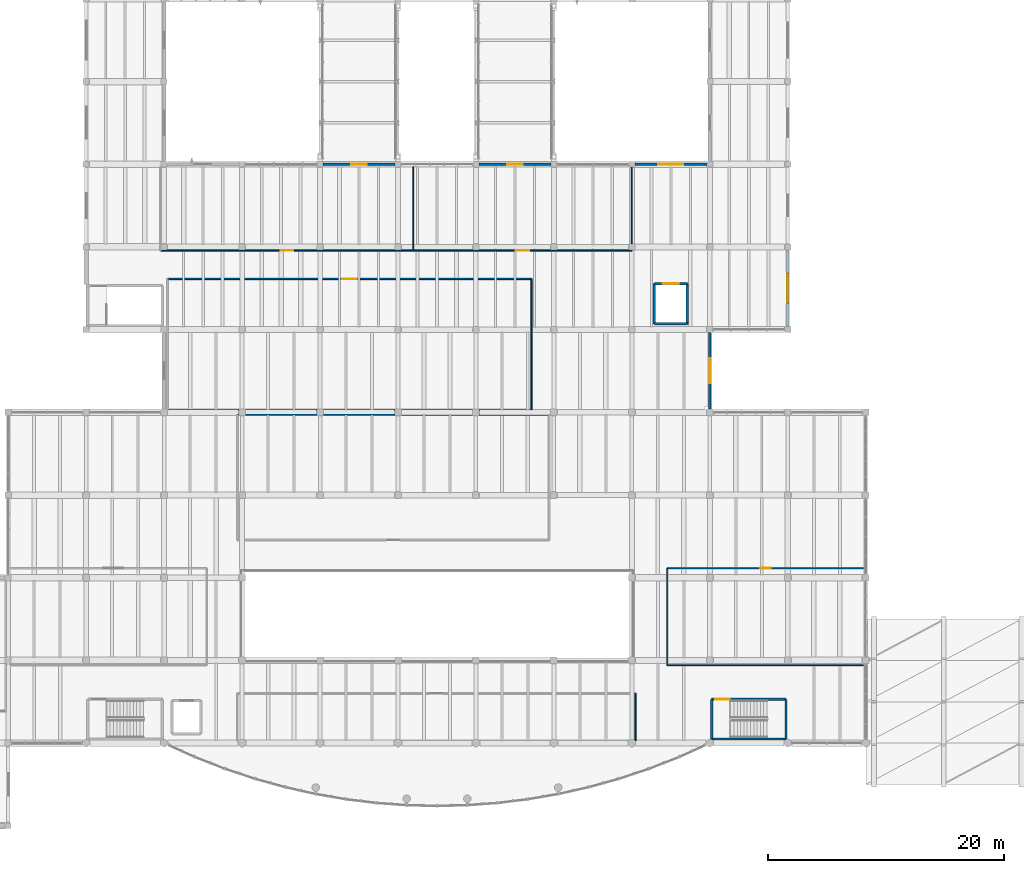
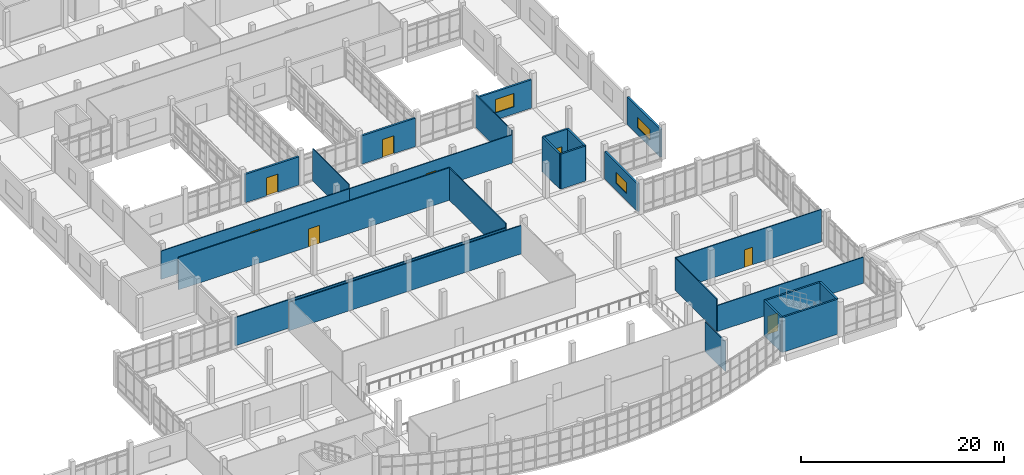
# One storey, part 49 of 65: 25 walls, 8 doors, 3 windows, 11 openings.
"""IFC4 building model written with IfcOpenShell, lengths in metres."""

from ifc_helpers import new_model, si_unit, direction, frame, frame_2d, origin, place, context, subcontext, project, spatial, rectangle, extrude, material, layer, layer_set, type_object, element, fill, save


model = new_model("IFC4")

# Units and contexts
model_context = context("Model", 3, precision=1e-05, world=origin(), true_north=direction((0.0, 1.0)))
body_context = subcontext(model_context, "Body", "Model", "MODEL_VIEW")
ifc_project = project(units=[si_unit("LENGTHUNIT", "METRE"), si_unit("AREAUNIT", "SQUARE_METRE"), si_unit("VOLUMEUNIT", "CUBIC_METRE"), si_unit("PLANEANGLEUNIT", "RADIAN"), si_unit("MASSUNIT", "GRAM", prefix="KILO")], contexts=[model_context])

# Site, building, storey
site_placement = place(None, origin())
site = spatial("IfcSite", under=ifc_project, at=site_placement, CompositionType="ELEMENT")
building_placement = place(site_placement, origin())
building = spatial("IfcBuilding", under=site, at=building_placement, Name="Ciguamira Faculty of Natural Sciences", CompositionType="ELEMENT")
storey_placement = place(building_placement, frame((0.0, 0.0, 12.60009765625)))
storey = spatial("IfcBuildingStorey", under=building, at=storey_placement, Name="L03", CompositionType="ELEMENT", Elevation=12.60009765625)

# Wall, opening, door
ifc_material_1 = material(Name="Precast concrete C40/50", Category="concrete")
ifc_layer_1 = layer(ifc_material_1, 0.219970703125, Name="Precast concrete C40/50")
ifc_layer_set_1 = layer_set([ifc_layer_1], Name="Precast concrete C40/50")
wall_type_1 = type_object("IfcWallType", Name="ExtWall_EW-03_220", PredefinedType="SOLIDWALL", material=ifc_layer_set_1)
wall_1_placement = place(storey_placement, frame((77.35009765625, 59.0, 0.0), z_axis=(0.0, 0.0, 1.0), x_axis=(1.0, 0.0, 0.0)))
wall_1 = element("IfcWall", 1, at=wall_1_placement, inside=storey, type_object=wall_type_1, Name="L03 exterior wall 0273", PredefinedType="SOLIDWALL", context=body_context, shape_type="SweptSolid", body=[
    extrude(rectangle(XDim=6.099853515625, YDim=0.219970703125, at=frame_2d((3.0498046875, 0.0))), origin(), (0.0, 0.0, 1.0), 3.40478515625),
])
opening_1_placement = place(wall_1_placement, frame((2.39990234375, 0.0, 0.0)))
opening_1 = element("IfcOpeningElement", 2, at=opening_1_placement, cuts=wall_1, Name="Opening ED-08", PredefinedType="OPENING", context=body_context, shape_type="SweptSolid", body=[
    extrude(rectangle(XDim=1.300048828125, YDim=2.14990234375, at=frame_2d((0.64990234375, 1.074951171875))), frame((0.0, 0.119873046875, 0.0), z_axis=(0.0, -1.0, 0.0), x_axis=(1.0, 0.0, 0.0)), (0.0, 0.0, 1.0), 0.239990234375),
])
ifc_material_2 = material(Name="Link bridge fire threshold door")
door_type_1 = type_object("IfcDoorType", Name="ExtDoor_ED-08_1300x2150", OperationType="NOTDEFINED", PredefinedType="DOOR", material=ifc_material_2)
door_1_placement = place(opening_1_placement, origin())
door_1 = element("IfcDoor", 3, at=door_1_placement, inside=storey, type_object=door_type_1, Name="Bridge BR-3 South Threshold Door", OperationType="DOUBLE_DOOR_SINGLE_SWING", OverallHeight=2.14990234375, OverallWidth=1.300048828125, PredefinedType="DOOR", context=body_context, shape_type="SweptSolid", body=[
    extrude(rectangle(XDim=1.300048828125, YDim=2.14990234375, at=frame_2d((0.64990234375, 1.074951171875))), frame((0.0, 0.02490234375, 0.0), z_axis=(0.0, -1.0, 0.0), x_axis=(1.0, 0.0, 0.0)), (0.0, 0.0, 1.0), 0.050048828125),
])
fill(opening_1, door_1)

wall_2_placement = place(storey_placement, frame((90.550048828125, 59.0, 0.0), z_axis=(0.0, 0.0, 1.0), x_axis=(1.0, 0.0, 0.0)))
wall_2 = element("IfcWall", 4, at=wall_2_placement, inside=storey, type_object=wall_type_1, Name="L03 exterior wall 0274", PredefinedType="SOLIDWALL", context=body_context, shape_type="SweptSolid", body=[
    extrude(rectangle(XDim=6.099853515625, YDim=0.219970703125, at=frame_2d((3.0498046875, 0.0))), origin(), (0.0, 0.0, 1.0), 3.40478515625),
])
opening_2_placement = place(wall_2_placement, frame((2.39990234375, 0.0, 0.0)))
opening_2 = element("IfcOpeningElement", 5, at=opening_2_placement, cuts=wall_2, Name="Opening ED-08", PredefinedType="OPENING", context=body_context, shape_type="SweptSolid", body=[
    extrude(rectangle(XDim=1.300048828125, YDim=2.14990234375, at=frame_2d((0.64990234375, 1.074951171875))), frame((0.0, 0.119873046875, 0.0), z_axis=(0.0, -1.0, 0.0), x_axis=(1.0, 0.0, 0.0)), (0.0, 0.0, 1.0), 0.239990234375),
])
door_2_placement = place(opening_2_placement, origin())
door_2 = element("IfcDoor", 6, at=door_2_placement, inside=storey, type_object=door_type_1, Name="Bridge BR-4 South Threshold Door", OperationType="DOUBLE_DOOR_SINGLE_SWING", OverallHeight=2.14990234375, OverallWidth=1.300048828125, PredefinedType="DOOR", context=body_context, shape_type="SweptSolid", body=[
    extrude(rectangle(XDim=1.300048828125, YDim=2.14990234375, at=frame_2d((0.64990234375, 1.074951171875))), frame((0.0, 0.02490234375, 0.0), z_axis=(0.0, -1.0, 0.0), x_axis=(1.0, 0.0, 0.0)), (0.0, 0.0, 1.0), 0.050048828125),
])
fill(opening_2, door_2)

# Wall, opening, window
wall_3_placement = place(storey_placement, frame((103.75, 59.0, 0.0), z_axis=(0.0, 0.0, 1.0), x_axis=(1.0, 0.0, 0.0)))
wall_3 = element("IfcWall", 7, at=wall_3_placement, inside=storey, type_object=wall_type_1, Name="L03 exterior wall 0275", PredefinedType="SOLIDWALL", context=body_context, shape_type="SweptSolid", body=[
    extrude(rectangle(XDim=6.10009765625, YDim=0.219970703125, at=frame_2d((3.050048828125, 0.0))), origin(), (0.0, 0.0, 1.0), 3.40478515625),
])
opening_3_placement = place(wall_3_placement, frame((2.0, 0.0, 0.85009765625)))
opening_3 = element("IfcOpeningElement", 8, at=opening_3_placement, cuts=wall_3, Name="Opening WT-22", PredefinedType="OPENING", context=body_context, shape_type="SweptSolid", body=[
    extrude(rectangle(XDim=2.10009765625, YDim=1.60009765625, at=frame_2d((1.050048828125, 0.800048828125))), frame((0.0, 0.119873046875, 0.0), z_axis=(0.0, -1.0, 0.0), x_axis=(1.0, 0.0, 0.0)), (0.0, 0.0, 1.0), 0.239990234375),
])
ifc_material_3 = material(Name="Hurricane laminated solar glass", Category="glass")
window_type_1 = type_object("IfcWindowType", Name="Window_WT-22_2100x1600", PartitioningType="DOUBLE_PANEL_VERTICAL", PredefinedType="WINDOW", material=ifc_material_3)
window_1_placement = place(opening_3_placement, origin())
window_1 = element("IfcWindow", 9, at=window_1_placement, inside=storey, type_object=window_type_1, Name="L03 facade window 0173", OverallHeight=1.60009765625, OverallWidth=2.10009765625, PartitioningType="SINGLE_PANEL", PredefinedType="WINDOW", context=body_context, shape_type="SweptSolid", body=[
    extrude(rectangle(XDim=2.10009765625, YDim=1.60009765625, at=frame_2d((1.050048828125, 0.800048828125))), frame((0.0, 0.030029296875, 0.0), z_axis=(0.0, -1.0, 0.0), x_axis=(1.0, 0.0, 0.0)), (0.0, 0.0, 1.0), 0.06005859375),
])
fill(opening_3, window_1)

wall_4_placement = place(storey_placement, frame((110.10009765625, 38.27490234375, 0.0), z_axis=(0.0, 0.0, 1.0), x_axis=(0.0, 1.0, 0.0)))
wall_4 = element("IfcWall", 10, at=wall_4_placement, inside=storey, type_object=wall_type_1, Name="L03 exterior wall 0304", PredefinedType="SOLIDWALL", context=body_context, shape_type="SweptSolid", body=[
    extrude(rectangle(XDim=6.47509765625, YDim=0.219970703125, at=frame_2d((3.237548828125, 0.0))), origin(), (0.0, 0.0, 1.0), 3.324951171875),
])
opening_4_placement = place(wall_4_placement, frame((2.1875, 0.0, 0.85009765625)))
opening_4 = element("IfcOpeningElement", 11, at=opening_4_placement, cuts=wall_4, Name="Opening WT-06", PredefinedType="OPENING", context=body_context, shape_type="SweptSolid", body=[
    extrude(rectangle(XDim=2.10009765625, YDim=1.35009765625, at=frame_2d((1.050048828125, 0.675048828125))), frame((0.0, 0.119873046875, 0.0), z_axis=(0.0, -1.0, 0.0), x_axis=(1.0, 0.0, 0.0)), (0.0, 0.0, 1.0), 0.239990234375),
])
window_type_2 = type_object("IfcWindowType", Name="Window_WT-06_2100x1350", PartitioningType="DOUBLE_PANEL_VERTICAL", PredefinedType="WINDOW", material=ifc_material_3)
window_2_placement = place(opening_4_placement, origin())
window_2 = element("IfcWindow", 12, at=window_2_placement, inside=storey, type_object=window_type_2, Name="L03 facade window 0199", OverallHeight=1.35009765625, OverallWidth=2.10009765625, PartitioningType="SINGLE_PANEL", PredefinedType="WINDOW", context=body_context, shape_type="SweptSolid", body=[
    extrude(rectangle(XDim=2.10009765625, YDim=1.35009765625, at=frame_2d((1.050048828125, 0.675048828125))), frame((0.0, 0.030029296875, 0.0), z_axis=(0.0, -1.0, 0.0), x_axis=(1.0, 0.0, 0.0)), (0.0, 0.0, 1.0), 0.06005859375),
])
fill(opening_4, window_2)

wall_5_placement = place(storey_placement, frame((116.699951171875, 45.25, 0.0), z_axis=(0.0, 0.0, 1.0), x_axis=(0.0, 1.0, 0.0)))
wall_5 = element("IfcWall", 13, at=wall_5_placement, inside=storey, type_object=wall_type_1, Name="L03 exterior wall 0311", PredefinedType="SOLIDWALL", context=body_context, shape_type="SweptSolid", body=[
    extrude(rectangle(XDim=6.5, YDim=0.219970703125, at=frame_2d((3.25, 0.0))), origin(), (0.0, 0.0, 1.0), 3.324951171875),
])
opening_5_placement = place(wall_5_placement, frame((2.0, 0.0, 0.85009765625)))
opening_5 = element("IfcOpeningElement", 14, at=opening_5_placement, cuts=wall_5, Name="Opening WT-19", PredefinedType="OPENING", context=body_context, shape_type="SweptSolid", body=[
    extrude(rectangle(XDim=2.5, YDim=1.25, at=frame_2d((1.25, 0.625))), frame((0.0, 0.119873046875, 0.0), z_axis=(0.0, -1.0, 0.0), x_axis=(1.0, 0.0, 0.0)), (0.0, 0.0, 1.0), 0.239990234375),
])
window_type_3 = type_object("IfcWindowType", Name="Window_WT-19_2500x1250", PartitioningType="DOUBLE_PANEL_VERTICAL", PredefinedType="WINDOW", material=ifc_material_3)
window_3_placement = place(opening_5_placement, origin())
window_3 = element("IfcWindow", 15, at=window_3_placement, inside=storey, type_object=window_type_3, Name="L03 facade window 0205", OverallHeight=1.25, OverallWidth=2.5, PartitioningType="SINGLE_PANEL", PredefinedType="WINDOW", context=body_context, shape_type="SweptSolid", body=[
    extrude(rectangle(XDim=2.5, YDim=1.25, at=frame_2d((1.25, 0.625))), frame((0.0, 0.030029296875, 0.0), z_axis=(0.0, -1.0, 0.0), x_axis=(1.0, 0.0, 0.0)), (0.0, 0.0, 1.0), 0.06005859375),
])
fill(opening_5, window_3)

# Wall
ifc_material_4 = material(Name="Concrete C40/50", Category="concrete")
ifc_layer_2 = layer(ifc_material_4, 0.199951171875, Name="Concrete C40/50")
ifc_layer_set_2 = layer_set([ifc_layer_2], Name="Concrete C40/50")
wall_type_2 = type_object("IfcWallType", Name="IntWall_CW-S20_200", PredefinedType="SHEAR", material=ifc_layer_set_2)
wall_6_placement = place(storey_placement, frame((110.25, 10.35009765625, 0.0), z_axis=(0.0, 0.0, 1.0), x_axis=(1.0, 0.0, 0.0)))
element("IfcWall", 16, at=wall_6_placement, inside=storey, type_object=wall_type_2, Name="L03 ST-A2 core shear wall south", PredefinedType="SHEAR", context=body_context, shape_type="SweptSolid", body=[
    extrude(rectangle(XDim=6.300048828125, YDim=0.199951171875, at=frame_2d((3.14990234375, 0.0))), origin(), (0.0, 0.0, 1.0), 4.199951171875),
])

# Wall, opening, door
wall_7_placement = place(storey_placement, frame((110.25, 13.7099609375, 0.0), z_axis=(0.0, 0.0, 1.0), x_axis=(1.0, 0.0, 0.0)))
wall_7 = element("IfcWall", 17, at=wall_7_placement, inside=storey, type_object=wall_type_2, Name="L03 ST-A2 core shear wall north", PredefinedType="SHEAR", context=body_context, shape_type="SweptSolid", body=[
    extrude(rectangle(XDim=6.300048828125, YDim=0.199951171875, at=frame_2d((3.14990234375, 0.0))), origin(), (0.0, 0.0, 1.0), 4.199951171875),
])
opening_6_placement = place(wall_7_placement, frame((0.320068359375, 0.0, 0.0)))
opening_6 = element("IfcOpeningElement", 18, at=opening_6_placement, cuts=wall_7, Name="Opening ID-14", PredefinedType="OPENING", context=body_context, shape_type="SweptSolid", body=[
    extrude(rectangle(XDim=1.199951171875, YDim=2.14990234375, at=frame_2d((0.60009765625, 1.074951171875))), frame((0.0, 0.10986328125, 0.0), z_axis=(0.0, -1.0, 0.0), x_axis=(1.0, 0.0, 0.0)), (0.0, 0.0, 1.0), 0.219970703125),
])
ifc_material_5 = material(Name="Protected exit stair fire door")
door_type_2 = type_object("IfcDoorType", Name="IntDoor_ID-14_1200x2150", OperationType="NOTDEFINED", PredefinedType="DOOR", material=ifc_material_5)
door_3_placement = place(opening_6_placement, frame((1.199951171875, 0.0, 0.0), z_axis=(0.0, 0.0, 1.0), x_axis=(-1.0, 0.0, 0.0)))
door_3 = element("IfcDoor", 19, at=door_3_placement, inside=storey, type_object=door_type_2, Name="L03 ST-A2 exit stair fire door", OperationType="SINGLE_SWING_RIGHT", OverallHeight=2.14990234375, OverallWidth=1.199951171875, PredefinedType="DOOR", context=body_context, shape_type="SweptSolid", body=[
    extrude(rectangle(XDim=1.199951171875, YDim=2.14990234375, at=frame_2d((0.60009765625, 1.074951171875))), frame((0.0, 0.02490234375, 0.0), z_axis=(0.0, -1.0, 0.0), x_axis=(1.0, 0.0, 0.0)), (0.0, 0.0, 1.0), 0.050048828125),
])
fill(opening_6, door_3)

# Walls
for number, where, z_axis, x_axis, name in (
    (20, (110.25, 10.35009765625, 0.0), (0.0, 0.0, 1.0), (0.0, 1.0, 0.0), "L03 ST-A2 core shear wall west"),
    (21, (116.550048828125, 10.35009765625, 0.0), (0.0, 0.0, 1.0), (0.0, 1.0, 0.0), "L03 ST-A2 core shear wall east"),
):
    element("IfcWall", number, at=place(storey_placement, frame(where, z_axis=z_axis, x_axis=x_axis)), inside=storey, type_object=wall_type_2, Name=name, PredefinedType="SHEAR", context=body_context, shape_type="SweptSolid", body=[
        extrude(rectangle(XDim=3.35986328125, YDim=0.199951171875, at=frame_2d((1.679931640625, 0.0))), origin(), (0.0, 0.0, 1.0), 4.199951171875),
    ])
wall_8_placement = place(storey_placement, frame((105.39990234375, 45.5, 0.0), z_axis=(0.0, 0.0, 1.0), x_axis=(1.0, 0.0, 0.0)))
element("IfcWall", 22, at=wall_8_placement, inside=storey, type_object=wall_type_2, Name="L03 EL-G1 hoistway wall south", PredefinedType="SHEAR", context=body_context, shape_type="SweptSolid", body=[
    extrude(rectangle(XDim=2.800048828125, YDim=0.199951171875, at=frame_2d((1.39990234375, 0.0))), origin(), (0.0, 0.0, 1.0), 4.199951171875),
])

# Wall, opening, door
wall_9_placement = place(storey_placement, frame((105.39990234375, 48.89990234375, 0.0), z_axis=(0.0, 0.0, 1.0), x_axis=(1.0, 0.0, 0.0)))
wall_9 = element("IfcWall", 23, at=wall_9_placement, inside=storey, type_object=wall_type_2, Name="L03 EL-G1 hoistway wall north", PredefinedType="SHEAR", context=body_context, shape_type="SweptSolid", body=[
    extrude(rectangle(XDim=2.800048828125, YDim=0.199951171875, at=frame_2d((1.39990234375, 0.0))), origin(), (0.0, 0.0, 1.0), 4.199951171875),
])
opening_7_placement = place(wall_9_placement, frame((0.699951171875, 0.0, 0.0)))
opening_7 = element("IfcOpeningElement", 24, at=opening_7_placement, cuts=wall_9, Name="Opening LD-04", PredefinedType="OPENING", context=body_context, shape_type="SweptSolid", body=[
    extrude(rectangle(XDim=1.39990234375, YDim=2.300048828125, at=frame_2d((0.699951171875, 1.14990234375))), frame((0.0, 0.10986328125, 0.0), z_axis=(0.0, -1.0, 0.0), x_axis=(1.0, 0.0, 0.0)), (0.0, 0.0, 1.0), 0.219970703125),
])
ifc_material_6 = material(Name="Specimen service lift sliding landing door")
door_type_3 = type_object("IfcDoorType", Name="LiftLandingDoor_LD-04_1400x2300", OperationType="SLIDING_TO_LEFT", PredefinedType="DOOR", material=ifc_material_6)
door_4_placement = place(opening_7_placement, origin())
door_4 = element("IfcDoor", 25, at=door_4_placement, inside=storey, type_object=door_type_3, Name="L03 EL-G1 elevator landing sliding door", OperationType="SLIDING_TO_LEFT", OverallHeight=2.300048828125, OverallWidth=1.39990234375, PredefinedType="DOOR", context=body_context, shape_type="SweptSolid", body=[
    extrude(rectangle(XDim=1.39990234375, YDim=2.300048828125, at=frame_2d((0.699951171875, 1.14990234375))), frame((0.0, 0.02490234375, 0.0), z_axis=(0.0, -1.0, 0.0), x_axis=(1.0, 0.0, 0.0)), (0.0, 0.0, 1.0), 0.050048828125),
])
fill(opening_7, door_4)

# Walls
for number, where, z_axis, x_axis, name in (
    (26, (105.39990234375, 45.5, 0.0), (0.0, 0.0, 1.0), (0.0, 1.0, 0.0), "L03 EL-G1 hoistway wall west"),
    (27, (108.199951171875, 45.5, 0.0), (0.0, 0.0, 1.0), (0.0, 1.0, 0.0), "L03 EL-G1 hoistway wall east"),
):
    element("IfcWall", number, at=place(storey_placement, frame(where, z_axis=z_axis, x_axis=x_axis)), inside=storey, type_object=wall_type_2, Name=name, PredefinedType="SHEAR", context=body_context, shape_type="SweptSolid", body=[
        extrude(rectangle(XDim=3.39990234375, YDim=0.199951171875, at=frame_2d((1.699951171875, 0.0))), origin(), (0.0, 0.0, 1.0), 4.199951171875),
    ])
ifc_material_7 = material(Name="Fire-rated gypsum partition")
ifc_layer_3 = layer(ifc_material_7, 0.10009765625, Name="Fire-rated gypsum partition")
ifc_layer_set_3 = layer_set([ifc_layer_3], Name="Fire-rated gypsum partition")
wall_type_3 = type_object("IfcWallType", Name="IntWall_IW-A10_100", PredefinedType="PARTITIONING", material=ifc_layer_set_3)
wall_10_placement = place(storey_placement, frame((106.5, 16.60009765625, 0.0), z_axis=(0.0, 0.0, 1.0), x_axis=(1.0, 0.0, 0.0)))
element("IfcWall", 28, at=wall_10_placement, inside=storey, type_object=wall_type_3, Name="L03 Oceanographic Mapping Gallery partition south", PredefinedType="PARTITIONING", context=body_context, shape_type="SweptSolid", body=[
    extrude(rectangle(XDim=16.60009765625, YDim=0.10009765625, at=frame_2d((8.300048828125, 0.0))), origin(), (0.0, 0.0, 1.0), 3.135009765625),
])

# Wall, opening, door
wall_11_placement = place(storey_placement, frame((106.5, 24.800048828125, 0.0), z_axis=(0.0, 0.0, 1.0), x_axis=(1.0, 0.0, 0.0)))
wall_11 = element("IfcWall", 29, at=wall_11_placement, inside=storey, type_object=wall_type_3, Name="L03 Oceanographic Mapping Gallery partition north", PredefinedType="PARTITIONING", context=body_context, shape_type="SweptSolid", body=[
    extrude(rectangle(XDim=16.60009765625, YDim=0.10009765625, at=frame_2d((8.300048828125, 0.0))), origin(), (0.0, 0.0, 1.0), 3.89990234375),
])
opening_8_placement = place(wall_11_placement, frame((7.85009765625, 0.0, 0.0)))
opening_8 = element("IfcOpeningElement", 30, at=opening_8_placement, cuts=wall_11, Name="Opening ID-01", PredefinedType="OPENING", context=body_context, shape_type="SweptSolid", body=[
    extrude(rectangle(XDim=0.89990234375, YDim=2.10009765625, at=frame_2d((0.449951171875, 1.050048828125))), frame((0.0, 0.06005859375, 0.0), z_axis=(0.0, -1.0, 0.0), x_axis=(1.0, 0.0, 0.0)), (0.0, 0.0, 1.0), 0.1201171875),
])
ifc_material_8 = material(Name="Single timber office door", Category="wood")
door_type_4 = type_object("IfcDoorType", Name="IntDoor_ID-01_900x2100", OperationType="NOTDEFINED", PredefinedType="DOOR", material=ifc_material_8)
door_5_placement = place(opening_8_placement, frame((0.89990234375, 0.0, 0.0), z_axis=(0.0, 0.0, 1.0), x_axis=(-1.0, 0.0, 0.0)))
door_5 = element("IfcDoor", 31, at=door_5_placement, inside=storey, type_object=door_type_4, Name="L03 Oceanographic Mapping Gallery door", OperationType="SINGLE_SWING_LEFT", OverallHeight=2.10009765625, OverallWidth=0.89990234375, PredefinedType="DOOR", context=body_context, shape_type="SweptSolid", body=[
    extrude(rectangle(XDim=0.89990234375, YDim=2.10009765625, at=frame_2d((0.449951171875, 1.050048828125))), frame((0.0, 0.02490234375, 0.0), z_axis=(0.0, -1.0, 0.0), x_axis=(1.0, 0.0, 0.0)), (0.0, 0.0, 1.0), 0.050048828125),
])
fill(opening_8, door_5)

# Walls
wall_12_placement = place(storey_placement, frame((106.5, 16.60009765625, 0.0), z_axis=(0.0, 0.0, 1.0), x_axis=(0.0, 1.0, 0.0)))
element("IfcWall", 32, at=wall_12_placement, inside=storey, type_object=wall_type_3, Name="L03 Oceanographic Mapping Gallery partition west", PredefinedType="PARTITIONING", context=body_context, shape_type="SweptSolid", body=[
    extrude(rectangle(XDim=8.199951171875, YDim=0.10009765625, at=frame_2d((4.10009765625, 0.0))), origin(), (0.0, 0.0, 1.0), 3.89990234375),
])
wall_13_placement = place(storey_placement, frame((103.800048828125, 10.199951171875, 0.0), z_axis=(0.0, 0.0, 1.0), x_axis=(0.0, 1.0, 0.0)))
element("IfcWall", 33, at=wall_13_placement, inside=storey, type_object=wall_type_3, Name="L03 L03 South Promenade Study Gallery partition east", PredefinedType="PARTITIONING", context=body_context, shape_type="SweptSolid", body=[
    extrude(rectangle(XDim=4.0, YDim=0.10009765625, at=frame_2d((2.0, 0.0))), origin(), (0.0, 0.0, 1.0), 3.5849609375),
])

# Wall, opening, door
wall_14_placement = place(storey_placement, frame((63.60009765625, 51.699951171875, 0.0), z_axis=(0.0, 0.0, 1.0), x_axis=(1.0, 0.0, 0.0)))
wall_14 = element("IfcWall", 34, at=wall_14_placement, inside=storey, type_object=wall_type_3, Name="L03 North-Light Botany Research Studio partition south", PredefinedType="PARTITIONING", context=body_context, shape_type="SweptSolid", body=[
    extrude(rectangle(XDim=21.39990234375, YDim=0.10009765625, at=frame_2d((10.699951171875, 0.0))), origin(), (0.0, 0.0, 1.0), 3.40478515625),
])
opening_9_placement = place(wall_14_placement, frame((10.175048828125, 0.0, 0.0)))
opening_9 = element("IfcOpeningElement", 35, at=opening_9_placement, cuts=wall_14, Name="Opening ID-04", PredefinedType="OPENING", context=body_context, shape_type="SweptSolid", body=[
    extrude(rectangle(XDim=1.050048828125, YDim=2.14990234375, at=frame_2d((0.52490234375, 1.074951171875))), frame((0.0, 0.06005859375, 0.0), z_axis=(0.0, -1.0, 0.0), x_axis=(1.0, 0.0, 0.0)), (0.0, 0.0, 1.0), 0.1201171875),
])
ifc_material_9 = material(Name="Seminar acoustic single door")
door_type_5 = type_object("IfcDoorType", Name="IntDoor_ID-04_1050x2150", OperationType="NOTDEFINED", PredefinedType="DOOR", material=ifc_material_9)
door_6_placement = place(opening_9_placement, origin())
door_6 = element("IfcDoor", 36, at=door_6_placement, inside=storey, type_object=door_type_5, Name="L03 North-Light Botany Research Studio door", OperationType="SINGLE_SWING_RIGHT", OverallHeight=2.14990234375, OverallWidth=1.050048828125, PredefinedType="DOOR", context=body_context, shape_type="SweptSolid", body=[
    extrude(rectangle(XDim=1.050048828125, YDim=2.14990234375, at=frame_2d((0.52490234375, 1.074951171875))), frame((0.0, 0.02490234375, 0.0), z_axis=(0.0, -1.0, 0.0), x_axis=(1.0, 0.0, 0.0)), (0.0, 0.0, 1.0), 0.050048828125),
])
fill(opening_9, door_6)

# Wall
wall_15_placement = place(storey_placement, frame((85.0, 51.699951171875, 0.0), z_axis=(0.0, 0.0, 1.0), x_axis=(0.0, 1.0, 0.0)))
element("IfcWall", 37, at=wall_15_placement, inside=storey, type_object=wall_type_3, Name="L03 North-Light Botany Research Studio partition east", PredefinedType="PARTITIONING", context=body_context, shape_type="SweptSolid", body=[
    extrude(rectangle(XDim=7.10009765625, YDim=0.10009765625, at=frame_2d((3.550048828125, 0.0))), origin(), (0.0, 0.0, 1.0), 3.89990234375),
])

# Wall, opening, door
wall_16_placement = place(storey_placement, frame((85.0, 51.699951171875, 0.0), z_axis=(0.0, 0.0, 1.0), x_axis=(1.0, 0.0, 0.0)))
wall_16 = element("IfcWall", 38, at=wall_16_placement, inside=storey, type_object=wall_type_3, Name="L03 North-Light Marine Biology Wave Lab partition south", PredefinedType="PARTITIONING", context=body_context, shape_type="SweptSolid", body=[
    extrude(rectangle(XDim=18.5, YDim=0.10009765625, at=frame_2d((9.25, 0.0))), origin(), (0.0, 0.0, 1.0), 3.40478515625),
])
opening_10_placement = place(wall_16_placement, frame((8.675048828125, 0.0, 0.0)))
opening_10 = element("IfcOpeningElement", 39, at=opening_10_placement, cuts=wall_16, Name="Opening ID-05", PredefinedType="OPENING", context=body_context, shape_type="SweptSolid", body=[
    extrude(rectangle(XDim=1.14990234375, YDim=2.14990234375, at=frame_2d((0.574951171875, 1.074951171875))), frame((0.0, 0.06005859375, 0.0), z_axis=(0.0, -1.0, 0.0), x_axis=(1.0, 0.0, 0.0)), (0.0, 0.0, 1.0), 0.1201171875),
])
ifc_material_10 = material(Name="Research office wide door")
door_type_6 = type_object("IfcDoorType", Name="IntDoor_ID-05_1150x2150", OperationType="NOTDEFINED", PredefinedType="DOOR", material=ifc_material_10)
door_7_placement = place(opening_10_placement, origin())
door_7 = element("IfcDoor", 40, at=door_7_placement, inside=storey, type_object=door_type_6, Name="L03 North-Light Marine Biology Wave Lab door", OperationType="SINGLE_SWING_LEFT", OverallHeight=2.14990234375, OverallWidth=1.14990234375, PredefinedType="DOOR", context=body_context, shape_type="SweptSolid", body=[
    extrude(rectangle(XDim=1.14990234375, YDim=2.14990234375, at=frame_2d((0.574951171875, 1.074951171875))), frame((0.0, 0.02490234375, 0.0), z_axis=(0.0, -1.0, 0.0), x_axis=(1.0, 0.0, 0.0)), (0.0, 0.0, 1.0), 0.050048828125),
])
fill(opening_10, door_7)

# Walls
wall_17_placement = place(storey_placement, frame((103.5, 51.699951171875, 0.0), z_axis=(0.0, 0.0, 1.0), x_axis=(0.0, 1.0, 0.0)))
element("IfcWall", 41, at=wall_17_placement, inside=storey, type_object=wall_type_3, Name="L03 North-Light Marine Biology Wave Lab partition east", PredefinedType="PARTITIONING", context=body_context, shape_type="SweptSolid", body=[
    extrude(rectangle(XDim=7.10009765625, YDim=0.10009765625, at=frame_2d((3.550048828125, 0.0))), origin(), (0.0, 0.0, 1.0), 3.89990234375),
])
ifc_material_11 = material(Name="Acoustic double-stud gypsum partition")
ifc_layer_4 = layer(ifc_material_11, 0.1201171875, Name="Acoustic double-stud gypsum partition")
ifc_layer_set_4 = layer_set([ifc_layer_4], Name="Acoustic double-stud gypsum partition")
wall_type_4 = type_object("IfcWallType", Name="IntWall_IW-A12_120", PredefinedType="PARTITIONING", material=ifc_layer_set_4)
wall_18_placement = place(storey_placement, frame((70.10009765625, 37.800048828125, 0.0), z_axis=(0.0, 0.0, 1.0), x_axis=(1.0, 0.0, 0.0)))
element("IfcWall", 42, at=wall_18_placement, inside=storey, type_object=wall_type_4, Name="L03 Honours Tutorial Seminar Room C partition north", PredefinedType="PARTITIONING", context=body_context, shape_type="SweptSolid", body=[
    extrude(rectangle(XDim=26.39990234375, YDim=0.1201171875, at=frame_2d((13.199951171875, 0.0))), origin(), (0.0, 0.0, 1.0), 3.40478515625),
])
wall_19_placement = place(storey_placement, frame((64.199951171875, 38.199951171875, 0.0), z_axis=(0.0, 0.0, 1.0), x_axis=(1.0, 0.0, 0.0)))
element("IfcWall", 43, at=wall_19_placement, inside=storey, type_object=wall_type_4, Name="L03 L03 South Lab Seminar Room partition south", PredefinedType="PARTITIONING", context=body_context, shape_type="SweptSolid", body=[
    extrude(rectangle(XDim=30.800048828125, YDim=0.1201171875, at=frame_2d((15.39990234375, 0.0))), origin(), (0.0, 0.0, 1.0), 3.40478515625),
])

# Wall, opening, door
wall_20_placement = place(storey_placement, frame((64.199951171875, 49.300048828125, 0.0), z_axis=(0.0, 0.0, 1.0), x_axis=(1.0, 0.0, 0.0)))
wall_20 = element("IfcWall", 44, at=wall_20_placement, inside=storey, type_object=wall_type_4, Name="L03 L03 South Lab Seminar Room partition north", PredefinedType="PARTITIONING", context=body_context, shape_type="SweptSolid", body=[
    extrude(rectangle(XDim=30.800048828125, YDim=0.1201171875, at=frame_2d((15.39990234375, 0.0))), origin(), (0.0, 0.0, 1.0), 3.89990234375),
])
opening_11_placement = place(wall_20_placement, frame((14.77490234375, 0.0, 0.0)))
opening_11 = element("IfcOpeningElement", 45, at=opening_11_placement, cuts=wall_20, Name="Opening ID-06", PredefinedType="OPENING", context=body_context, shape_type="SweptSolid", body=[
    extrude(rectangle(XDim=1.25, YDim=2.14990234375, at=frame_2d((0.625, 1.074951171875))), frame((0.0, 0.070068359375, 0.0), z_axis=(0.0, -1.0, 0.0), x_axis=(1.0, 0.0, 0.0)), (0.0, 0.0, 1.0), 0.14013671875),
])
ifc_material_12 = material(Name="Instrument room leaf-and-half door")
door_type_7 = type_object("IfcDoorType", Name="IntDoor_ID-06_1250x2150", OperationType="NOTDEFINED", PredefinedType="DOOR", material=ifc_material_12)
door_8_placement = place(opening_11_placement, frame((1.25, 0.0, 0.0), z_axis=(0.0, 0.0, 1.0), x_axis=(-1.0, 0.0, 0.0)))
door_8 = element("IfcDoor", 46, at=door_8_placement, inside=storey, type_object=door_type_7, Name="L03 L03 South Lab Seminar Room door", OperationType="SINGLE_SWING_RIGHT", OverallHeight=2.14990234375, OverallWidth=1.25, PredefinedType="DOOR", context=body_context, shape_type="SweptSolid", body=[
    extrude(rectangle(XDim=1.25, YDim=2.14990234375, at=frame_2d((0.625, 1.074951171875))), frame((0.0, 0.02490234375, 0.0), z_axis=(0.0, -1.0, 0.0), x_axis=(1.0, 0.0, 0.0)), (0.0, 0.0, 1.0), 0.050048828125),
])
fill(opening_11, door_8)

# Wall
wall_21_placement = place(storey_placement, frame((95.0, 38.199951171875, 0.0), z_axis=(0.0, 0.0, 1.0), x_axis=(0.0, 1.0, 0.0)))
element("IfcWall", 47, at=wall_21_placement, inside=storey, type_object=wall_type_4, Name="L03 L03 South Lab Seminar Room partition east", PredefinedType="PARTITIONING", context=body_context, shape_type="SweptSolid", body=[
    extrude(rectangle(XDim=11.10009765625, YDim=0.1201171875, at=frame_2d((5.550048828125, 0.0))), origin(), (0.0, 0.0, 1.0), 3.89990234375),
])

save(model, "model.ifc")
